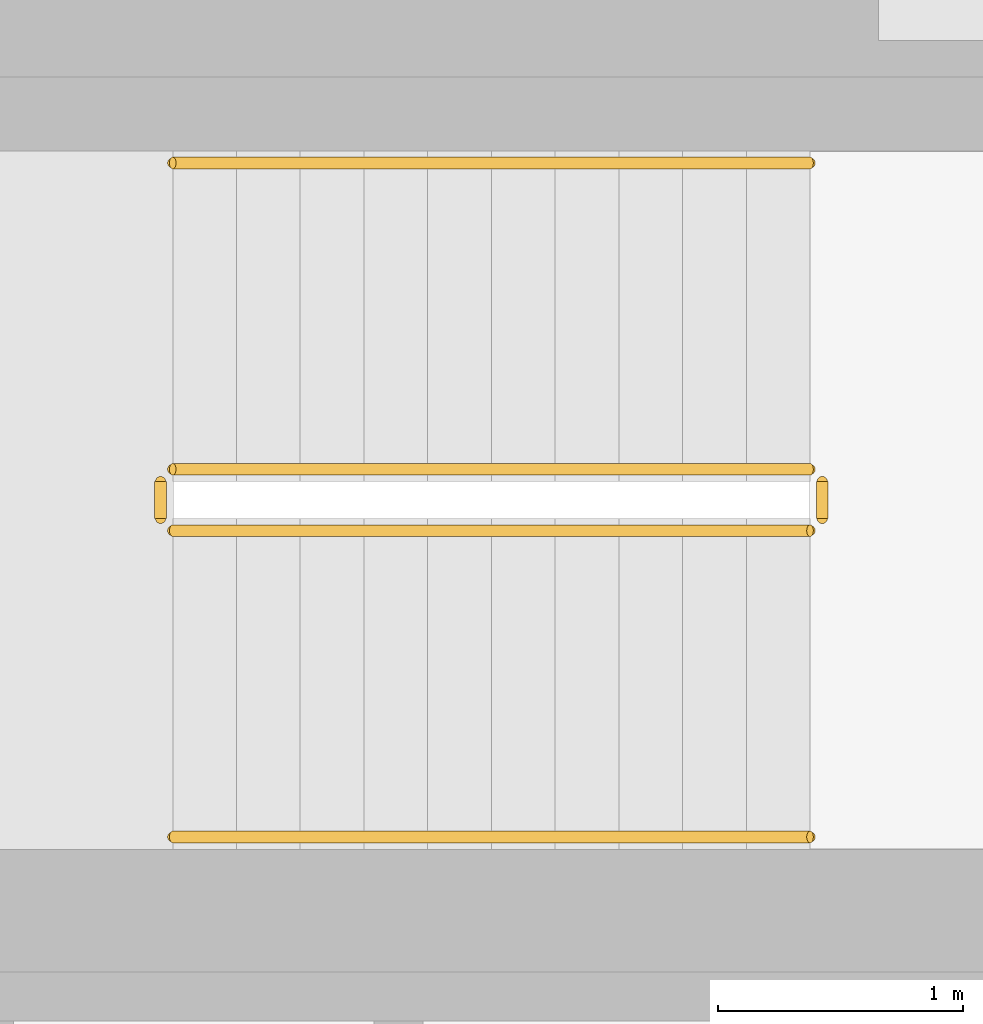
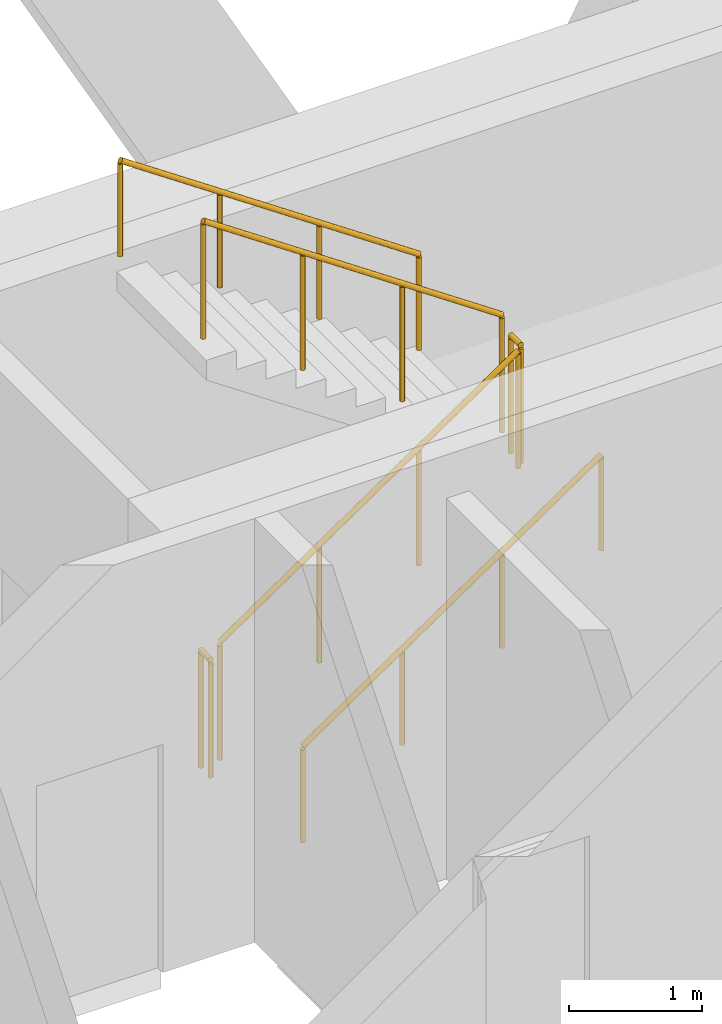
# One storey, part 8 of 8: 6 railings.
"""IFC4 building model written with IfcOpenShell, lengths in metres."""

from ifc_helpers import new_model, si_unit, direction, frame, origin, origin_2d, place, context, subcontext, project, spatial, circle, extrude, material, type_object, element, save


model = new_model("IFC4")

# Units and contexts
model_context = context("Model", 3, precision=1e-05, world=origin(), true_north=direction((0.0, 1.0)))
body_context = subcontext(model_context, "Body", "Model", "MODEL_VIEW")
ifc_project = project(units=[si_unit("LENGTHUNIT", "METRE"), si_unit("AREAUNIT", "SQUARE_METRE"), si_unit("VOLUMEUNIT", "CUBIC_METRE"), si_unit("PLANEANGLEUNIT", "RADIAN"), si_unit("MASSUNIT", "GRAM", prefix="KILO")], contexts=[model_context])

# Site, building, storey
site_placement = place(None, origin())
site = spatial("IfcSite", under=ifc_project, at=site_placement, CompositionType="ELEMENT")
building_placement = place(site_placement, origin())
building = spatial("IfcBuilding", under=site, at=building_placement, Name="White Candle Pilgrim Tower", CompositionType="ELEMENT")
storey_placement = place(building_placement, frame((0.0, 0.0, 317.800048828125)))
storey = spatial("IfcBuildingStorey", under=building, at=storey_placement, Name="L75", CompositionType="ELEMENT", Elevation=317.800048828125)

# Railings
ifc_material = material(Name="Stainless steel", Category="steel")
railing_type_1 = type_object("IfcRailingType", Name="Stair guard stainless steel 1100 mm", PredefinedType="GUARDRAIL", material=ifc_material)
railing_1_placement = place(storey_placement, frame((69.39990234375, 85.550048828125, 0.17724609375)))
element("IfcRailing", 1, at=railing_1_placement, inside=storey, type_object=railing_type_1, Name="L75 ST3 stair guard 1", PredefinedType="GUARDRAIL", context=body_context, shape_type="SweptSolid", body=[
    extrude(circle(Radius=0.02392578125, at=origin_2d()), frame((0.0, 0.0, 1.076171875), z_axis=(0.826240473404, 0.0, 0.563317565952), x_axis=(0.0, 1.0, 0.0)), (0.0, 0.0, 1.0), 3.14697265625),
    extrude(circle(Radius=0.02099609375, at=origin_2d()), origin(), (0.0, 0.0, 1.0), 1.052001953125),
    extrude(circle(Radius=0.02099609375, at=origin_2d()), frame((0.86669921875, 0.0, 0.5908203125)), (0.0, 0.0, 1.0), 1.052001953125),
    extrude(circle(Radius=0.02099609375, at=origin_2d()), frame((1.7333984375, 0.0, 1.181884765625)), (0.0, 0.0, 1.0), 1.052001953125),
    extrude(circle(Radius=0.02099609375, at=origin_2d()), frame((2.60009765625, 0.0, 1.772705078125)), (0.0, 0.0, 1.0), 1.052001953125),
])
railing_2_placement = place(storey_placement, frame((72.050048828125, 85.60009765625, 1.949951171875)))
element("IfcRailing", 2, at=railing_2_placement, inside=storey, type_object=railing_type_1, Name="L75 ST3 stair guard 2", PredefinedType="GUARDRAIL", context=body_context, shape_type="SweptSolid", body=[
    extrude(circle(Radius=0.02392578125, at=origin_2d()), frame((0.0, 0.0, 1.076171875), z_axis=(0.0, 1.0, 0.0), x_axis=(-1.0, 0.0, 0.0)), (0.0, 0.0, 1.0), 0.14990234375),
    extrude(circle(Radius=0.02099609375, at=origin_2d()), origin(), (0.0, 0.0, 1.0), 1.052001953125),
    extrude(circle(Radius=0.02099609375, at=origin_2d()), frame((0.0, 0.14990234375, 0.0)), (0.0, 0.0, 1.0), 1.052001953125),
])
railing_3_placement = place(storey_placement, frame((72.0, 85.800048828125, 2.127197265625)))
element("IfcRailing", 3, at=railing_3_placement, inside=storey, type_object=railing_type_1, Name="L75 ST3 stair guard 3", PredefinedType="GUARDRAIL", context=body_context, shape_type="SweptSolid", body=[
    extrude(circle(Radius=0.02392578125, at=origin_2d()), frame((0.0, 0.0, 1.076171875), z_axis=(-0.826240473404, 0.0, 0.563317565952), x_axis=(0.0, -1.0, 0.0)), (0.0, 0.0, 1.0), 3.14697265625),
    extrude(circle(Radius=0.02099609375, at=origin_2d()), origin(), (0.0, 0.0, 1.0), 1.052001953125),
    extrude(circle(Radius=0.02099609375, at=origin_2d()), frame((-0.86669921875, 0.0, 0.5908203125)), (0.0, 0.0, 1.0), 1.052001953125),
    extrude(circle(Radius=0.02099609375, at=origin_2d()), frame((-1.7333984375, 0.0, 1.181884765625)), (0.0, 0.0, 1.0), 1.052001953125),
    extrude(circle(Radius=0.02099609375, at=origin_2d()), frame((-2.60009765625, 0.0, 1.772705078125)), (0.0, 0.0, 1.0), 1.052001953125),
])
railing_4_placement = place(storey_placement, frame((69.35009765625, 85.60009765625, 0.0)))
element("IfcRailing", 4, at=railing_4_placement, inside=storey, type_object=railing_type_1, Name="L75 ST3 stair guard 4", PredefinedType="GUARDRAIL", context=body_context, shape_type="SweptSolid", body=[
    extrude(circle(Radius=0.02392578125, at=origin_2d()), frame((0.0, 0.0, 1.076171875), z_axis=(0.0, 1.0, 0.0), x_axis=(-1.0, 0.0, 0.0)), (0.0, 0.0, 1.0), 0.14990234375),
    extrude(circle(Radius=0.02099609375, at=origin_2d()), origin(), (0.0, 0.0, 1.0), 1.052001953125),
    extrude(circle(Radius=0.02099609375, at=origin_2d()), frame((0.0, 0.14990234375, 0.0)), (0.0, 0.0, 1.0), 1.052001953125),
])
railing_type_2 = type_object("IfcRailingType", Name="Stair handrail stainless steel", PredefinedType="HANDRAIL", material=ifc_material)
railing_5_placement = place(storey_placement, frame((69.39990234375, 84.300048828125, 0.17724609375)))
element("IfcRailing", 5, at=railing_5_placement, inside=storey, type_object=railing_type_2, Name="L75 ST3 stair handrail 1", PredefinedType="HANDRAIL", context=body_context, shape_type="SweptSolid", body=[
    extrude(circle(Radius=0.02392578125, at=origin_2d()), frame((0.0, 0.0, 0.8759765625), z_axis=(0.826240473404, 0.0, 0.563317565952), x_axis=(0.0, 1.0, 0.0)), (0.0, 0.0, 1.0), 3.14697265625),
    extrude(circle(Radius=0.02099609375, at=origin_2d()), origin(), (0.0, 0.0, 1.0), 0.851806640625),
    extrude(circle(Radius=0.02099609375, at=origin_2d()), frame((0.86669921875, 0.0, 0.5908203125)), (0.0, 0.0, 1.0), 0.851806640625),
    extrude(circle(Radius=0.02099609375, at=origin_2d()), frame((1.7333984375, 0.0, 1.181884765625)), (0.0, 0.0, 1.0), 0.851806640625),
    extrude(circle(Radius=0.02099609375, at=origin_2d()), frame((2.60009765625, 0.0, 1.772705078125)), (0.0, 0.0, 1.0), 0.851806640625),
])
railing_6_placement = place(storey_placement, frame((72.0, 87.050048828125, 2.127197265625)))
element("IfcRailing", 6, at=railing_6_placement, inside=storey, type_object=railing_type_2, Name="L75 ST3 stair handrail 2", PredefinedType="HANDRAIL", context=body_context, shape_type="SweptSolid", body=[
    extrude(circle(Radius=0.02392578125, at=origin_2d()), frame((0.0, 0.0, 0.8759765625), z_axis=(-0.826240473404, 0.0, 0.563317565952), x_axis=(0.0, -1.0, 0.0)), (0.0, 0.0, 1.0), 3.14697265625),
    extrude(circle(Radius=0.02099609375, at=origin_2d()), origin(), (0.0, 0.0, 1.0), 0.851806640625),
    extrude(circle(Radius=0.02099609375, at=origin_2d()), frame((-0.86669921875, 0.0, 0.5908203125)), (0.0, 0.0, 1.0), 0.851806640625),
    extrude(circle(Radius=0.02099609375, at=origin_2d()), frame((-1.7333984375, 0.0, 1.181884765625)), (0.0, 0.0, 1.0), 0.851806640625),
    extrude(circle(Radius=0.02099609375, at=origin_2d()), frame((-2.60009765625, 0.0, 1.772705078125)), (0.0, 0.0, 1.0), 0.851806640625),
])

save(model, "model.ifc")
